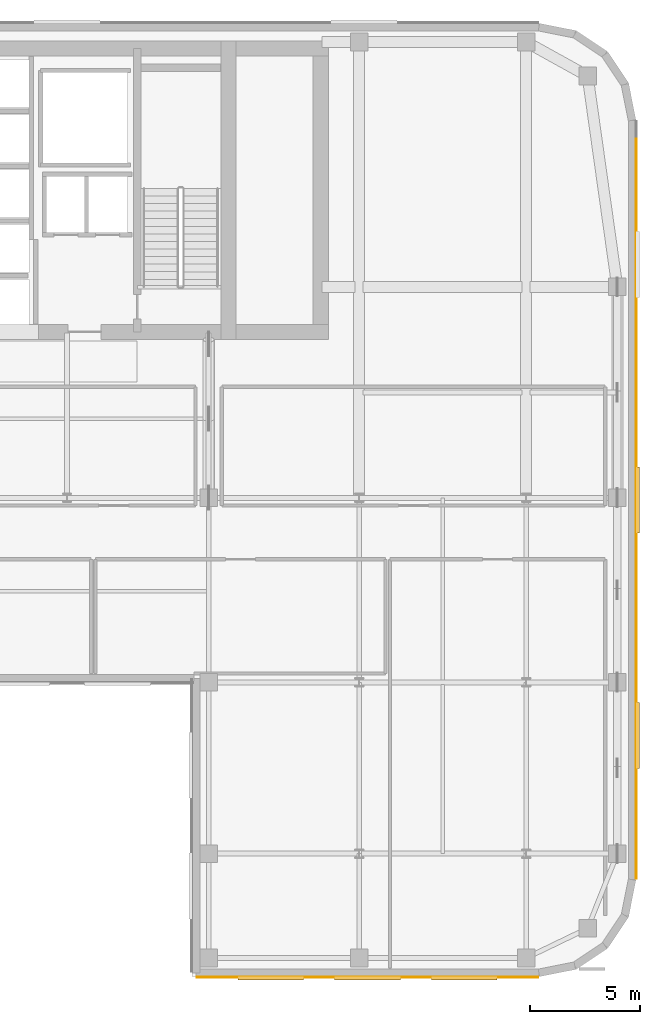
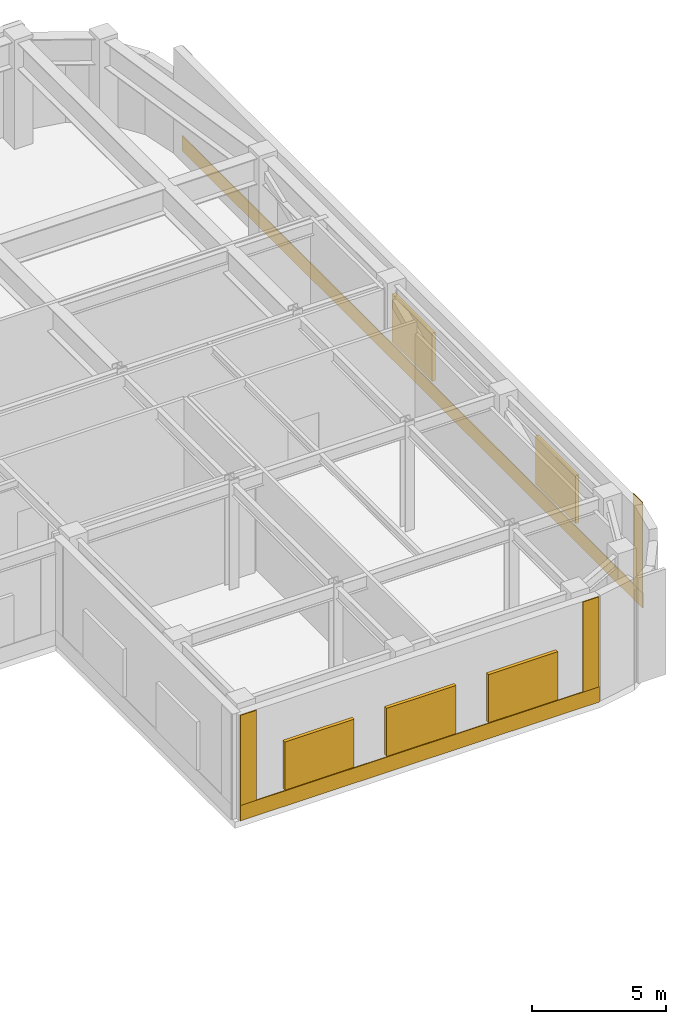
# One storey, part 10 of 12: 5 coverings, 5 shading devices.
"""IFC4 building model written with IfcOpenShell, lengths in metres."""

from ifc_helpers import new_model, si_unit, direction, frame, origin, place, context, subcontext, project, spatial, polyline, outline, extrude, material, layer, layer_set, type_object, element, save


model = new_model("IFC4")

# Units and contexts
model_context = context("Model", 3, precision=1e-05, world=origin(), true_north=direction((0.0, 1.0)))
body_context = subcontext(model_context, "Body", "Model", "MODEL_VIEW")
ifc_project = project(units=[si_unit("LENGTHUNIT", "METRE"), si_unit("AREAUNIT", "SQUARE_METRE"), si_unit("VOLUMEUNIT", "CUBIC_METRE"), si_unit("PLANEANGLEUNIT", "RADIAN"), si_unit("MASSUNIT", "GRAM", prefix="KILO")], contexts=[model_context])

# Site, building, storey
site_placement = place(None, origin())
site = spatial("IfcSite", under=ifc_project, at=site_placement, CompositionType="ELEMENT")
building_placement = place(site_placement, origin())
building = spatial("IfcBuilding", under=site, at=building_placement, Name="Tolvann Quenvar Hotel", CompositionType="ELEMENT")
storey_placement = place(building_placement, frame((0.0, 0.0, 182.550048828125)))
storey = spatial("IfcBuildingStorey", under=building, at=storey_placement, Name="L48", CompositionType="ELEMENT", Elevation=182.550048828125)

# Coverings
ifc_material_1 = material(Name="Kiln-fired red architectural face brick cladding", Category="masonry")
ifc_layer_1 = layer(ifc_material_1, 0.0400390625)
ifc_layer_set_1 = layer_set([ifc_layer_1], Name="Kiln-fired red architectural face brick cladding")
covering_type_1 = type_object("IfcCoveringType", Name="COV_CLAD_BRICK_40", PredefinedType="CLADDING", material=ifc_layer_set_1)
covering_1_placement = place(storey_placement, frame((0.0, 0.0, 0.699951171875)))
element("IfcCovering", 1, at=covering_1_placement, inside=storey, type_object=covering_type_1, Name="Brick Pier Cladding (L48-E08-P1)", PredefinedType="CLADDING", context=body_context, shape_type="SweptSolid", body=[
    extrude(outline(polyline([(34.425048828125, 2.60009765625), (35.125, 2.60009765625), (35.125, 2.56005859375), (34.425048828125, 2.56005859375), (34.425048828125, 2.60009765625)])), origin(), (0.0, 0.0, 1.0), 4.1201171875),
])
covering_2_placement = place(storey_placement, frame((0.0, 0.0, 0.699951171875)))
element("IfcCovering", 2, at=covering_2_placement, inside=storey, type_object=covering_type_1, Name="Brick Pier Cladding (L48-E08-P2)", PredefinedType="CLADDING", context=body_context, shape_type="SweptSolid", body=[
    extrude(outline(polyline([(49.23291015625, 2.60009765625), (49.932861328125, 2.60009765625), (49.932861328125, 2.56005859375), (49.23291015625, 2.56005859375), (49.23291015625, 2.60009765625)])), origin(), (0.0, 0.0, 1.0), 4.1201171875),
])
covering_3_placement = place(storey_placement, frame((0.0, 0.0, 0.699951171875)))
element("IfcCovering", 3, at=covering_3_placement, inside=storey, type_object=covering_type_1, Name="Brick Pier Cladding (L48-E13-P1)", PredefinedType="CLADDING", context=body_context, shape_type="SweptSolid", body=[
    extrude(outline(polyline([(54.39990234375, 7.067138671875), (54.39990234375, 7.76708984375), (54.43994140625, 7.76708984375), (54.43994140625, 7.067138671875), (54.39990234375, 7.067138671875)])), origin(), (0.0, 0.0, 1.0), 4.1201171875),
])
ifc_material_2 = material(Name="Moulded buff architectural terracotta spandrel cladding", Category="masonry")
ifc_layer_2 = layer(ifc_material_2, 0.0400390625)
ifc_layer_set_2 = layer_set([ifc_layer_2], Name="Moulded buff architectural terracotta spandrel cladding")
covering_type_2 = type_object("IfcCoveringType", Name="COV_CLAD_TERRA_40", PredefinedType="CLADDING", material=ifc_layer_set_2)
covering_4_placement = place(storey_placement, origin())
element("IfcCovering", 4, at=covering_4_placement, inside=storey, type_object=covering_type_2, Name="Terracotta Spandrel Cladding (L48-E08)", PredefinedType="CLADDING", context=body_context, shape_type="SweptSolid", body=[
    extrude(outline(polyline([(34.4150390625, 2.60009765625), (49.94287109375, 2.60009765625), (49.94287109375, 2.56005859375), (34.4150390625, 2.56005859375), (34.4150390625, 2.60009765625)])), origin(), (0.0, 0.0, 1.0), 0.699951171875),
])
covering_5_placement = place(storey_placement, origin())
element("IfcCovering", 5, at=covering_5_placement, inside=storey, type_object=covering_type_2, Name="Terracotta Spandrel Cladding (L48-E13)", PredefinedType="CLADDING", context=body_context, shape_type="SweptSolid", body=[
    extrude(outline(polyline([(54.39990234375, 7.05712890625), (54.39990234375, 41.542724609375), (54.43994140625, 41.542724609375), (54.43994140625, 7.05712890625), (54.39990234375, 7.05712890625)])), origin(), (0.0, 0.0, 1.0), 0.699951171875),
])

# Shading devices
ifc_material_3 = material(Name="Extruded bronze-anodised aluminium acoustic weather louvre", Category="aluminium")
shading_device_type = type_object("IfcShadingDeviceType", Name="SHD_LOUVRE_AL", PredefinedType="JALOUSIE", material=ifc_material_3)
shading_device_1_placement = place(storey_placement, frame((0.0, 0.0, 0.820068359375)))
element("IfcShadingDevice", 6, at=shading_device_1_placement, inside=storey, type_object=shading_device_type, Name="Acoustic Plant Weather Louvre (L48-E08-1)", PredefinedType="JALOUSIE", context=body_context, shape_type="SweptSolid", body=[
    extrude(outline(polyline([(36.2763671875, 2.60009765625), (39.2763671875, 2.60009765625), (39.2763671875, 2.449951171875), (36.2763671875, 2.449951171875), (36.2763671875, 2.60009765625)])), origin(), (0.0, 0.0, 1.0), 2.199951171875),
])
shading_device_2_placement = place(storey_placement, frame((0.0, 0.0, 0.820068359375)))
element("IfcShadingDevice", 7, at=shading_device_2_placement, inside=storey, type_object=shading_device_type, Name="Acoustic Plant Weather Louvre (L48-E08-2)", PredefinedType="JALOUSIE", context=body_context, shape_type="SweptSolid", body=[
    extrude(outline(polyline([(40.678955078125, 2.60009765625), (43.678955078125, 2.60009765625), (43.678955078125, 2.449951171875), (40.678955078125, 2.449951171875), (40.678955078125, 2.60009765625)])), origin(), (0.0, 0.0, 1.0), 2.199951171875),
])
shading_device_3_placement = place(storey_placement, frame((0.0, 0.0, 0.820068359375)))
element("IfcShadingDevice", 8, at=shading_device_3_placement, inside=storey, type_object=shading_device_type, Name="Acoustic Plant Weather Louvre (L48-E08-3)", PredefinedType="JALOUSIE", context=body_context, shape_type="SweptSolid", body=[
    extrude(outline(polyline([(45.08154296875, 2.60009765625), (48.08154296875, 2.60009765625), (48.08154296875, 2.449951171875), (45.08154296875, 2.449951171875), (45.08154296875, 2.60009765625)])), origin(), (0.0, 0.0, 1.0), 2.199951171875),
])
shading_device_4_placement = place(storey_placement, frame((0.0, 0.0, 0.820068359375)))
element("IfcShadingDevice", 9, at=shading_device_4_placement, inside=storey, type_object=shading_device_type, Name="Acoustic Plant Weather Louvre (L48-E13-1)", PredefinedType="JALOUSIE", context=body_context, shape_type="SweptSolid", body=[
    extrude(outline(polyline([(54.39990234375, 12.078125), (54.39990234375, 15.078125), (54.550048828125, 15.078125), (54.550048828125, 12.078125), (54.39990234375, 12.078125)])), origin(), (0.0, 0.0, 1.0), 2.199951171875),
])
shading_device_5_placement = place(storey_placement, frame((0.0, 0.0, 0.820068359375)))
element("IfcShadingDevice", 10, at=shading_device_5_placement, inside=storey, type_object=shading_device_type, Name="Acoustic Plant Weather Louvre (L48-E13-2)", PredefinedType="JALOUSIE", context=body_context, shape_type="SweptSolid", body=[
    extrude(outline(polyline([(54.39990234375, 22.800048828125), (54.39990234375, 25.800048828125), (54.550048828125, 25.800048828125), (54.550048828125, 22.800048828125), (54.39990234375, 22.800048828125)])), origin(), (0.0, 0.0, 1.0), 2.199951171875),
])

save(model, "model.ifc")
